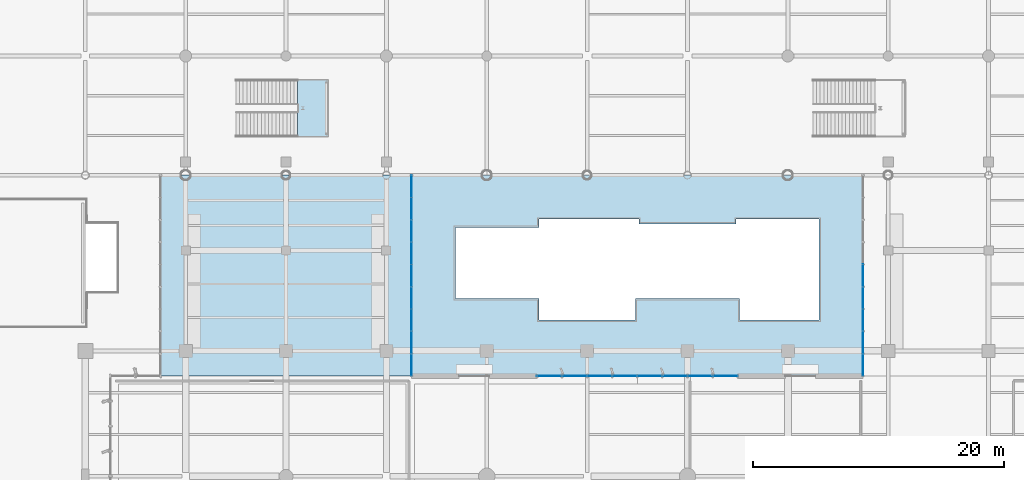
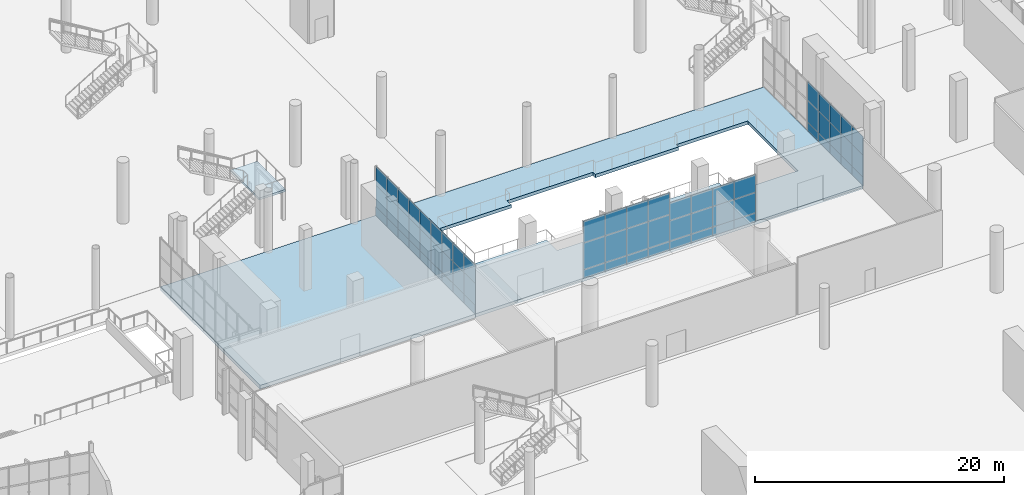
# One storey, part 116 of 163: 66 plates, 3 slabs, 5 elements without a shape of their own.
"""IFC4 building model written with IfcOpenShell, lengths in metres."""

from ifc_helpers import new_model, si_unit, direction, frame, origin, origin_2d, place, context, subcontext, project, spatial, polyline, rectangle, outline, extrude, material, layer, layer_set, type_object, element, aggregate, save


model = new_model("IFC4")

# Units and contexts
model_context = context("Model", 3, precision=1e-05, world=origin(), true_north=direction((0.0, 1.0)))
body_context = subcontext(model_context, "Body", "Model", "MODEL_VIEW")
ifc_project = project(units=[si_unit("LENGTHUNIT", "METRE"), si_unit("AREAUNIT", "SQUARE_METRE"), si_unit("VOLUMEUNIT", "CUBIC_METRE"), si_unit("PLANEANGLEUNIT", "RADIAN"), si_unit("MASSUNIT", "GRAM", prefix="KILO")], contexts=[model_context])

# Site, building, storey
site_placement = place(None, origin())
site = spatial("IfcSite", under=ifc_project, at=site_placement, CompositionType="ELEMENT")
building_placement = place(site_placement, origin())
building = spatial("IfcBuilding", under=site, at=building_placement, Name="Khorjan Park Terminus", CompositionType="ELEMENT")
storey_placement = place(building_placement, origin())
storey = spatial("IfcBuildingStorey", under=building, at=storey_placement, Name="L00", CompositionType="ELEMENT", Elevation=0.0)

# Curtain wall, plates
ifc_material_1 = material(Name="Anodized Bronze Aluminium", Category="aluminium")
ifc_layer_1 = layer(ifc_material_1, 0.22)
ifc_layer_set_1 = layer_set([ifc_layer_1], Name="Anodized Bronze Aluminium")
curtain_wall_type_1 = type_object("IfcCurtainWallType", Name="CW-BRG-D", PredefinedType="NOTDEFINED", material=ifc_layer_set_1)
curtain_wall_1_placement = place(storey_placement, origin())
curtain_wall_1 = element("IfcCurtainWall", 1, at=curtain_wall_1_placement, inside=storey, type_object=curtain_wall_type_1, Name="Unitized curtain wall CW-D (CW-NKW-E-L00)", PredefinedType="NOTDEFINED")
ifc_material_2 = material(Name="Low-E Solar Control Double Glazing", Category="glass")
ifc_layer_2 = layer(ifc_material_2, 0.032)
ifc_layer_set_2 = layer_set([ifc_layer_2], Name="Low-E Solar Control Double Glazing")
plate_type_1 = type_object("IfcPlateType", Name="GL-VIS-32", PredefinedType="CURTAIN_PANEL", material=ifc_layer_set_2)
plate_1_placement = place(storey_placement, frame((74.0, 86.8889, 0.8499), z_axis=(0.0, 0.0, 1.0), x_axis=(0.0, 1.0, 0.0)))
plate_1 = element("IfcPlate", 2, at=plate_1_placement, type_object=plate_type_1, Name="Curtain-wall panel VP-32 (CW-NKW-E-L00-0-2)", PredefinedType="CURTAIN_PANEL", context=body_context, shape_type="SweptSolid", body=[
    extrude(rectangle(XDim=1.7778, YDim=0.032, at=origin_2d()), origin(), (0.0, 0.0, 1.0), 2.1415),
])
plate_2_placement = place(storey_placement, frame((74.0, 86.8889, 2.9914), z_axis=(0.0, 0.0, 1.0), x_axis=(0.0, 1.0, 0.0)))
plate_2 = element("IfcPlate", 3, at=plate_2_placement, type_object=plate_type_1, Name="Curtain-wall panel VP-32 (CW-NKW-E-L00-0-3)", PredefinedType="CURTAIN_PANEL", context=body_context, shape_type="SweptSolid", body=[
    extrude(rectangle(XDim=1.7778, YDim=0.032, at=origin_2d()), origin(), (0.0, 0.0, 1.0), 1.8435),
])
plate_3_placement = place(storey_placement, frame((74.0, 88.6667, 0.8499), z_axis=(0.0, 0.0, 1.0), x_axis=(0.0, 1.0, 0.0)))
plate_3 = element("IfcPlate", 4, at=plate_3_placement, type_object=plate_type_1, Name="Curtain-wall panel VP-32 (CW-NKW-E-L00-1-2)", PredefinedType="CURTAIN_PANEL", context=body_context, shape_type="SweptSolid", body=[
    extrude(rectangle(XDim=1.7778, YDim=0.032, at=origin_2d()), origin(), (0.0, 0.0, 1.0), 2.1415),
])
plate_4_placement = place(storey_placement, frame((74.0, 88.6667, 2.9914), z_axis=(0.0, 0.0, 1.0), x_axis=(0.0, 1.0, 0.0)))
plate_4 = element("IfcPlate", 5, at=plate_4_placement, type_object=plate_type_1, Name="Curtain-wall panel VP-32 (CW-NKW-E-L00-1-3)", PredefinedType="CURTAIN_PANEL", context=body_context, shape_type="SweptSolid", body=[
    extrude(rectangle(XDim=1.7778, YDim=0.032, at=origin_2d()), origin(), (0.0, 0.0, 1.0), 1.8435),
])
plate_5_placement = place(storey_placement, frame((74.0, 90.4444, 0.8499), z_axis=(0.0, 0.0, 1.0), x_axis=(0.0, 1.0, 0.0)))
plate_5 = element("IfcPlate", 6, at=plate_5_placement, type_object=plate_type_1, Name="Curtain-wall panel VP-32 (CW-NKW-E-L00-2-2)", PredefinedType="CURTAIN_PANEL", context=body_context, shape_type="SweptSolid", body=[
    extrude(rectangle(XDim=1.7778, YDim=0.032, at=origin_2d()), origin(), (0.0, 0.0, 1.0), 2.1415),
])
plate_6_placement = place(storey_placement, frame((74.0, 90.4444, 2.9914), z_axis=(0.0, 0.0, 1.0), x_axis=(0.0, 1.0, 0.0)))
plate_6 = element("IfcPlate", 7, at=plate_6_placement, type_object=plate_type_1, Name="Curtain-wall panel VP-32 (CW-NKW-E-L00-2-3)", PredefinedType="CURTAIN_PANEL", context=body_context, shape_type="SweptSolid", body=[
    extrude(rectangle(XDim=1.7778, YDim=0.032, at=origin_2d()), origin(), (0.0, 0.0, 1.0), 1.8435),
])
plate_7_placement = place(storey_placement, frame((74.0, 92.2222, 0.8499), z_axis=(0.0, 0.0, 1.0), x_axis=(0.0, 1.0, 0.0)))
plate_7 = element("IfcPlate", 8, at=plate_7_placement, type_object=plate_type_1, Name="Curtain-wall panel VP-32 (CW-NKW-E-L00-3-2)", PredefinedType="CURTAIN_PANEL", context=body_context, shape_type="SweptSolid", body=[
    extrude(rectangle(XDim=1.7778, YDim=0.032, at=origin_2d()), origin(), (0.0, 0.0, 1.0), 2.1415),
])
plate_8_placement = place(storey_placement, frame((74.0, 92.2222, 2.9914), z_axis=(0.0, 0.0, 1.0), x_axis=(0.0, 1.0, 0.0)))
plate_8 = element("IfcPlate", 9, at=plate_8_placement, type_object=plate_type_1, Name="Curtain-wall panel VP-32 (CW-NKW-E-L00-3-3)", PredefinedType="CURTAIN_PANEL", context=body_context, shape_type="SweptSolid", body=[
    extrude(rectangle(XDim=1.7778, YDim=0.032, at=origin_2d()), origin(), (0.0, 0.0, 1.0), 1.8435),
])
plate_9_placement = place(storey_placement, frame((74.0, 94.0, 0.8499), z_axis=(0.0, 0.0, 1.0), x_axis=(0.0, 1.0, 0.0)))
plate_9 = element("IfcPlate", 10, at=plate_9_placement, type_object=plate_type_1, Name="Curtain-wall panel VP-32 (CW-NKW-E-L00-4-2)", PredefinedType="CURTAIN_PANEL", context=body_context, shape_type="SweptSolid", body=[
    extrude(rectangle(XDim=1.7778, YDim=0.032, at=origin_2d()), origin(), (0.0, 0.0, 1.0), 2.1415),
])
plate_10_placement = place(storey_placement, frame((74.0, 94.0, 2.9914), z_axis=(0.0, 0.0, 1.0), x_axis=(0.0, 1.0, 0.0)))
plate_10 = element("IfcPlate", 11, at=plate_10_placement, type_object=plate_type_1, Name="Curtain-wall panel VP-32 (CW-NKW-E-L00-4-3)", PredefinedType="CURTAIN_PANEL", context=body_context, shape_type="SweptSolid", body=[
    extrude(rectangle(XDim=1.7778, YDim=0.032, at=origin_2d()), origin(), (0.0, 0.0, 1.0), 1.8435),
])
plate_11_placement = place(storey_placement, frame((74.0, 95.7778, 0.8499), z_axis=(0.0, 0.0, 1.0), x_axis=(0.0, 1.0, 0.0)))
plate_11 = element("IfcPlate", 12, at=plate_11_placement, type_object=plate_type_1, Name="Curtain-wall panel VP-32 (CW-NKW-E-L00-5-2)", PredefinedType="CURTAIN_PANEL", context=body_context, shape_type="SweptSolid", body=[
    extrude(rectangle(XDim=1.7778, YDim=0.032, at=origin_2d()), origin(), (0.0, 0.0, 1.0), 2.1415),
])
plate_12_placement = place(storey_placement, frame((74.0, 95.7778, 2.9914), z_axis=(0.0, 0.0, 1.0), x_axis=(0.0, 1.0, 0.0)))
plate_12 = element("IfcPlate", 13, at=plate_12_placement, type_object=plate_type_1, Name="Curtain-wall panel VP-32 (CW-NKW-E-L00-5-3)", PredefinedType="CURTAIN_PANEL", context=body_context, shape_type="SweptSolid", body=[
    extrude(rectangle(XDim=1.7778, YDim=0.032, at=origin_2d()), origin(), (0.0, 0.0, 1.0), 1.8435),
])
plate_13_placement = place(storey_placement, frame((74.0, 97.5556, 0.8499), z_axis=(0.0, 0.0, 1.0), x_axis=(0.0, 1.0, 0.0)))
plate_13 = element("IfcPlate", 14, at=plate_13_placement, type_object=plate_type_1, Name="Curtain-wall panel VP-32 (CW-NKW-E-L00-6-2)", PredefinedType="CURTAIN_PANEL", context=body_context, shape_type="SweptSolid", body=[
    extrude(rectangle(XDim=1.7778, YDim=0.032, at=origin_2d()), origin(), (0.0, 0.0, 1.0), 2.1415),
])
plate_14_placement = place(storey_placement, frame((74.0, 97.5556, 2.9914), z_axis=(0.0, 0.0, 1.0), x_axis=(0.0, 1.0, 0.0)))
plate_14 = element("IfcPlate", 15, at=plate_14_placement, type_object=plate_type_1, Name="Curtain-wall panel VP-32 (CW-NKW-E-L00-6-3)", PredefinedType="CURTAIN_PANEL", context=body_context, shape_type="SweptSolid", body=[
    extrude(rectangle(XDim=1.7778, YDim=0.032, at=origin_2d()), origin(), (0.0, 0.0, 1.0), 1.8435),
])
plate_15_placement = place(storey_placement, frame((74.0, 99.3333, 0.8499), z_axis=(0.0, 0.0, 1.0), x_axis=(0.0, 1.0, 0.0)))
plate_15 = element("IfcPlate", 16, at=plate_15_placement, type_object=plate_type_1, Name="Curtain-wall panel VP-32 (CW-NKW-E-L00-7-2)", PredefinedType="CURTAIN_PANEL", context=body_context, shape_type="SweptSolid", body=[
    extrude(rectangle(XDim=1.7778, YDim=0.032, at=origin_2d()), origin(), (0.0, 0.0, 1.0), 2.1415),
])
plate_16_placement = place(storey_placement, frame((74.0, 99.3333, 2.9914), z_axis=(0.0, 0.0, 1.0), x_axis=(0.0, 1.0, 0.0)))
plate_16 = element("IfcPlate", 17, at=plate_16_placement, type_object=plate_type_1, Name="Curtain-wall panel VP-32 (CW-NKW-E-L00-7-3)", PredefinedType="CURTAIN_PANEL", context=body_context, shape_type="SweptSolid", body=[
    extrude(rectangle(XDim=1.7778, YDim=0.032, at=origin_2d()), origin(), (0.0, 0.0, 1.0), 1.8435),
])
plate_17_placement = place(storey_placement, frame((74.0, 101.1111, 0.8499), z_axis=(0.0, 0.0, 1.0), x_axis=(0.0, 1.0, 0.0)))
plate_17 = element("IfcPlate", 18, at=plate_17_placement, type_object=plate_type_1, Name="Curtain-wall panel VP-32 (CW-NKW-E-L00-8-2)", PredefinedType="CURTAIN_PANEL", context=body_context, shape_type="SweptSolid", body=[
    extrude(rectangle(XDim=1.7778, YDim=0.032, at=origin_2d()), origin(), (0.0, 0.0, 1.0), 2.1415),
])
plate_18_placement = place(storey_placement, frame((74.0, 101.1111, 2.9914), z_axis=(0.0, 0.0, 1.0), x_axis=(0.0, 1.0, 0.0)))
plate_18 = element("IfcPlate", 19, at=plate_18_placement, type_object=plate_type_1, Name="Curtain-wall panel VP-32 (CW-NKW-E-L00-8-3)", PredefinedType="CURTAIN_PANEL", context=body_context, shape_type="SweptSolid", body=[
    extrude(rectangle(XDim=1.7778, YDim=0.032, at=origin_2d()), origin(), (0.0, 0.0, 1.0), 1.8435),
])

curtain_wall_2_placement = place(storey_placement, origin())
curtain_wall_2 = element("IfcCurtainWall", 20, at=curtain_wall_2_placement, inside=storey, type_object=curtain_wall_type_1, Name="Unitized curtain wall CW-D (CW-NKE-W-L00)", PredefinedType="NOTDEFINED")
plate_19_placement = place(storey_placement, frame((110.0, 94.0, 0.8499), z_axis=(0.0, 0.0, 1.0), x_axis=(0.0, -1.0, 0.0)))
plate_19 = element("IfcPlate", 21, at=plate_19_placement, type_object=plate_type_1, Name="Curtain-wall panel VP-32 (CW-NKE-W-L00-4-2)", PredefinedType="CURTAIN_PANEL", context=body_context, shape_type="SweptSolid", body=[
    extrude(rectangle(XDim=1.7778, YDim=0.032, at=origin_2d()), origin(), (0.0, 0.0, 1.0), 2.1415),
])
plate_20_placement = place(storey_placement, frame((110.0, 94.0, 2.9914), z_axis=(0.0, 0.0, 1.0), x_axis=(0.0, -1.0, 0.0)))
plate_20 = element("IfcPlate", 22, at=plate_20_placement, type_object=plate_type_1, Name="Curtain-wall panel VP-32 (CW-NKE-W-L00-4-3)", PredefinedType="CURTAIN_PANEL", context=body_context, shape_type="SweptSolid", body=[
    extrude(rectangle(XDim=1.7778, YDim=0.032, at=origin_2d()), origin(), (0.0, 0.0, 1.0), 1.8435),
])
plate_21_placement = place(storey_placement, frame((110.0, 92.2222, 0.8499), z_axis=(0.0, 0.0, 1.0), x_axis=(0.0, -1.0, 0.0)))
plate_21 = element("IfcPlate", 23, at=plate_21_placement, type_object=plate_type_1, Name="Curtain-wall panel VP-32 (CW-NKE-W-L00-5-2)", PredefinedType="CURTAIN_PANEL", context=body_context, shape_type="SweptSolid", body=[
    extrude(rectangle(XDim=1.7778, YDim=0.032, at=origin_2d()), origin(), (0.0, 0.0, 1.0), 2.1415),
])
plate_22_placement = place(storey_placement, frame((110.0, 92.2222, 2.9914), z_axis=(0.0, 0.0, 1.0), x_axis=(0.0, -1.0, 0.0)))
plate_22 = element("IfcPlate", 24, at=plate_22_placement, type_object=plate_type_1, Name="Curtain-wall panel VP-32 (CW-NKE-W-L00-5-3)", PredefinedType="CURTAIN_PANEL", context=body_context, shape_type="SweptSolid", body=[
    extrude(rectangle(XDim=1.7778, YDim=0.032, at=origin_2d()), origin(), (0.0, 0.0, 1.0), 1.8435),
])
plate_23_placement = place(storey_placement, frame((110.0, 90.4444, 0.8499), z_axis=(0.0, 0.0, 1.0), x_axis=(0.0, -1.0, 0.0)))
plate_23 = element("IfcPlate", 25, at=plate_23_placement, type_object=plate_type_1, Name="Curtain-wall panel VP-32 (CW-NKE-W-L00-6-2)", PredefinedType="CURTAIN_PANEL", context=body_context, shape_type="SweptSolid", body=[
    extrude(rectangle(XDim=1.7778, YDim=0.032, at=origin_2d()), origin(), (0.0, 0.0, 1.0), 2.1415),
])
plate_24_placement = place(storey_placement, frame((110.0, 90.4444, 2.9914), z_axis=(0.0, 0.0, 1.0), x_axis=(0.0, -1.0, 0.0)))
plate_24 = element("IfcPlate", 26, at=plate_24_placement, type_object=plate_type_1, Name="Curtain-wall panel VP-32 (CW-NKE-W-L00-6-3)", PredefinedType="CURTAIN_PANEL", context=body_context, shape_type="SweptSolid", body=[
    extrude(rectangle(XDim=1.7778, YDim=0.032, at=origin_2d()), origin(), (0.0, 0.0, 1.0), 1.8435),
])
plate_25_placement = place(storey_placement, frame((110.0, 88.6667, 0.8499), z_axis=(0.0, 0.0, 1.0), x_axis=(0.0, -1.0, 0.0)))
plate_25 = element("IfcPlate", 27, at=plate_25_placement, type_object=plate_type_1, Name="Curtain-wall panel VP-32 (CW-NKE-W-L00-7-2)", PredefinedType="CURTAIN_PANEL", context=body_context, shape_type="SweptSolid", body=[
    extrude(rectangle(XDim=1.7778, YDim=0.032, at=origin_2d()), origin(), (0.0, 0.0, 1.0), 2.1415),
])
plate_26_placement = place(storey_placement, frame((110.0, 88.6667, 2.9914), z_axis=(0.0, 0.0, 1.0), x_axis=(0.0, -1.0, 0.0)))
plate_26 = element("IfcPlate", 28, at=plate_26_placement, type_object=plate_type_1, Name="Curtain-wall panel VP-32 (CW-NKE-W-L00-7-3)", PredefinedType="CURTAIN_PANEL", context=body_context, shape_type="SweptSolid", body=[
    extrude(rectangle(XDim=1.7778, YDim=0.032, at=origin_2d()), origin(), (0.0, 0.0, 1.0), 1.8435),
])
plate_27_placement = place(storey_placement, frame((110.0, 86.8889, 0.8499), z_axis=(0.0, 0.0, 1.0), x_axis=(0.0, -1.0, 0.0)))
plate_27 = element("IfcPlate", 29, at=plate_27_placement, type_object=plate_type_1, Name="Curtain-wall panel VP-32 (CW-NKE-W-L00-8-2)", PredefinedType="CURTAIN_PANEL", context=body_context, shape_type="SweptSolid", body=[
    extrude(rectangle(XDim=1.7778, YDim=0.032, at=origin_2d()), origin(), (0.0, 0.0, 1.0), 2.1415),
])
plate_28_placement = place(storey_placement, frame((110.0, 86.8889, 2.9914), z_axis=(0.0, 0.0, 1.0), x_axis=(0.0, -1.0, 0.0)))
plate_28 = element("IfcPlate", 30, at=plate_28_placement, type_object=plate_type_1, Name="Curtain-wall panel VP-32 (CW-NKE-W-L00-8-3)", PredefinedType="CURTAIN_PANEL", context=body_context, shape_type="SweptSolid", body=[
    extrude(rectangle(XDim=1.7778, YDim=0.032, at=origin_2d()), origin(), (0.0, 0.0, 1.0), 1.8435),
])

ifc_layer_3 = layer(ifc_material_1, 0.22)
ifc_layer_set_3 = layer_set([ifc_layer_3], Name="Anodized Bronze Aluminium")
curtain_wall_type_2 = type_object("IfcCurtainWallType", Name="CW-CONC-A", PredefinedType="NOTDEFINED", material=ifc_layer_set_3)
curtain_wall_3_placement = place(storey_placement, origin())
curtain_wall_3 = element("IfcCurtainWall", 31, at=curtain_wall_3_placement, inside=storey, type_object=curtain_wall_type_2, Name="Unitized curtain wall CW-A (CW-V2-N-L00-04)", PredefinedType="NOTDEFINED")
ifc_material_3 = material(Name="Triple Low-E High-Selectivity Glazing", Category="glass")
ifc_layer_4 = layer(ifc_material_3, 0.04)
ifc_layer_set_4 = layer_set([ifc_layer_4], Name="Triple Low-E High-Selectivity Glazing")
plate_type_2 = type_object("IfcPlateType", Name="GL-VIS-40", PredefinedType="CURTAIN_PANEL", material=ifc_layer_set_4)
plate_29_placement = place(storey_placement, frame((91.0, 86.0, 0.85), z_axis=(0.0, 0.0, 1.0), x_axis=(-1.0, 0.0, 0.0)))
plate_29 = element("IfcPlate", 32, at=plate_29_placement, type_object=plate_type_2, Name="Curtain-wall panel VP-40 (CW-V2-N-L00-04-0-2)", PredefinedType="CURTAIN_PANEL", context=body_context, shape_type="SweptSolid", body=[
    extrude(rectangle(XDim=2.0, YDim=0.04, at=origin_2d()), origin(), (0.0, 0.0, 1.0), 2.6344),
])
plate_30_placement = place(storey_placement, frame((91.0, 86.0, 3.4844), z_axis=(0.0, 0.0, 1.0), x_axis=(-1.0, 0.0, 0.0)))
plate_30 = element("IfcPlate", 33, at=plate_30_placement, type_object=plate_type_2, Name="Curtain-wall panel VP-40 (CW-V2-N-L00-04-0-3)", PredefinedType="CURTAIN_PANEL", context=body_context, shape_type="SweptSolid", body=[
    extrude(rectangle(XDim=2.0, YDim=0.04, at=origin_2d()), origin(), (0.0, 0.0, 1.0), 2.1456),
])
plate_31_placement = place(storey_placement, frame((89.0, 86.0, 0.85), z_axis=(0.0, 0.0, 1.0), x_axis=(-1.0, 0.0, 0.0)))
plate_31 = element("IfcPlate", 34, at=plate_31_placement, type_object=plate_type_2, Name="Curtain-wall panel VP-40 (CW-V2-N-L00-04-1-2)", PredefinedType="CURTAIN_PANEL", context=body_context, shape_type="SweptSolid", body=[
    extrude(rectangle(XDim=2.0, YDim=0.04, at=origin_2d()), origin(), (0.0, 0.0, 1.0), 2.6344),
])
plate_32_placement = place(storey_placement, frame((89.0, 86.0, 3.4844), z_axis=(0.0, 0.0, 1.0), x_axis=(-1.0, 0.0, 0.0)))
plate_32 = element("IfcPlate", 35, at=plate_32_placement, type_object=plate_type_2, Name="Curtain-wall panel VP-40 (CW-V2-N-L00-04-1-3)", PredefinedType="CURTAIN_PANEL", context=body_context, shape_type="SweptSolid", body=[
    extrude(rectangle(XDim=2.0, YDim=0.04, at=origin_2d()), origin(), (0.0, 0.0, 1.0), 2.1456),
])
plate_33_placement = place(storey_placement, frame((87.0, 86.0, 0.85), z_axis=(0.0, 0.0, 1.0), x_axis=(-1.0, 0.0, 0.0)))
plate_33 = element("IfcPlate", 36, at=plate_33_placement, type_object=plate_type_2, Name="Curtain-wall panel VP-40 (CW-V2-N-L00-04-2-2)", PredefinedType="CURTAIN_PANEL", context=body_context, shape_type="SweptSolid", body=[
    extrude(rectangle(XDim=2.0, YDim=0.04, at=origin_2d()), origin(), (0.0, 0.0, 1.0), 2.6344),
])
plate_34_placement = place(storey_placement, frame((87.0, 86.0, 3.4844), z_axis=(0.0, 0.0, 1.0), x_axis=(-1.0, 0.0, 0.0)))
plate_34 = element("IfcPlate", 37, at=plate_34_placement, type_object=plate_type_2, Name="Curtain-wall panel VP-40 (CW-V2-N-L00-04-2-3)", PredefinedType="CURTAIN_PANEL", context=body_context, shape_type="SweptSolid", body=[
    extrude(rectangle(XDim=2.0, YDim=0.04, at=origin_2d()), origin(), (0.0, 0.0, 1.0), 2.1456),
])
plate_35_placement = place(storey_placement, frame((85.0, 86.0, 0.85), z_axis=(0.0, 0.0, 1.0), x_axis=(-1.0, 0.0, 0.0)))
plate_35 = element("IfcPlate", 38, at=plate_35_placement, type_object=plate_type_2, Name="Curtain-wall panel VP-40 (CW-V2-N-L00-04-3-2)", PredefinedType="CURTAIN_PANEL", context=body_context, shape_type="SweptSolid", body=[
    extrude(rectangle(XDim=2.0, YDim=0.04, at=origin_2d()), origin(), (0.0, 0.0, 1.0), 2.6344),
])
plate_36_placement = place(storey_placement, frame((85.0, 86.0, 3.4844), z_axis=(0.0, 0.0, 1.0), x_axis=(-1.0, 0.0, 0.0)))
plate_36 = element("IfcPlate", 39, at=plate_36_placement, type_object=plate_type_2, Name="Curtain-wall panel VP-40 (CW-V2-N-L00-04-3-3)", PredefinedType="CURTAIN_PANEL", context=body_context, shape_type="SweptSolid", body=[
    extrude(rectangle(XDim=2.0, YDim=0.04, at=origin_2d()), origin(), (0.0, 0.0, 1.0), 2.1456),
])

curtain_wall_4_placement = place(storey_placement, origin())
curtain_wall_4 = element("IfcCurtainWall", 40, at=curtain_wall_4_placement, inside=storey, type_object=curtain_wall_type_2, Name="Unitized curtain wall CW-A (CW-V2-N-L00-05)", PredefinedType="NOTDEFINED")
plate_37_placement = place(storey_placement, frame((99.0, 86.0, 0.85), z_axis=(0.0, 0.0, 1.0), x_axis=(-1.0, 0.0, 0.0)))
plate_37 = element("IfcPlate", 41, at=plate_37_placement, type_object=plate_type_2, Name="Curtain-wall panel VP-40 (CW-V2-N-L00-05-0-2)", PredefinedType="CURTAIN_PANEL", context=body_context, shape_type="SweptSolid", body=[
    extrude(rectangle(XDim=2.0, YDim=0.04, at=origin_2d()), origin(), (0.0, 0.0, 1.0), 2.0175),
])
plate_38_placement = place(storey_placement, frame((99.0, 86.0, 2.8674), z_axis=(0.0, 0.0, 1.0), x_axis=(-1.0, 0.0, 0.0)))
plate_38 = element("IfcPlate", 42, at=plate_38_placement, type_object=plate_type_2, Name="Curtain-wall panel VP-40 (CW-V2-N-L00-05-0-3)", PredefinedType="CURTAIN_PANEL", context=body_context, shape_type="SweptSolid", body=[
    extrude(rectangle(XDim=2.0, YDim=0.04, at=origin_2d()), origin(), (0.0, 0.0, 1.0), 1.7675),
])
plate_39_placement = place(storey_placement, frame((97.0, 86.0, 0.85), z_axis=(0.0, 0.0, 1.0), x_axis=(-1.0, 0.0, 0.0)))
plate_39 = element("IfcPlate", 43, at=plate_39_placement, type_object=plate_type_2, Name="Curtain-wall panel VP-40 (CW-V2-N-L00-05-1-2)", PredefinedType="CURTAIN_PANEL", context=body_context, shape_type="SweptSolid", body=[
    extrude(rectangle(XDim=2.0, YDim=0.04, at=origin_2d()), origin(), (0.0, 0.0, 1.0), 2.0175),
])
plate_40_placement = place(storey_placement, frame((97.0, 86.0, 2.8674), z_axis=(0.0, 0.0, 1.0), x_axis=(-1.0, 0.0, 0.0)))
plate_40 = element("IfcPlate", 44, at=plate_40_placement, type_object=plate_type_2, Name="Curtain-wall panel VP-40 (CW-V2-N-L00-05-1-3)", PredefinedType="CURTAIN_PANEL", context=body_context, shape_type="SweptSolid", body=[
    extrude(rectangle(XDim=2.0, YDim=0.04, at=origin_2d()), origin(), (0.0, 0.0, 1.0), 1.7675),
])
plate_41_placement = place(storey_placement, frame((95.0, 86.0, 0.85), z_axis=(0.0, 0.0, 1.0), x_axis=(-1.0, 0.0, 0.0)))
plate_41 = element("IfcPlate", 45, at=plate_41_placement, type_object=plate_type_2, Name="Curtain-wall panel VP-40 (CW-V2-N-L00-05-2-2)", PredefinedType="CURTAIN_PANEL", context=body_context, shape_type="SweptSolid", body=[
    extrude(rectangle(XDim=2.0, YDim=0.04, at=origin_2d()), origin(), (0.0, 0.0, 1.0), 2.0175),
])
plate_42_placement = place(storey_placement, frame((95.0, 86.0, 2.8674), z_axis=(0.0, 0.0, 1.0), x_axis=(-1.0, 0.0, 0.0)))
plate_42 = element("IfcPlate", 46, at=plate_42_placement, type_object=plate_type_2, Name="Curtain-wall panel VP-40 (CW-V2-N-L00-05-2-3)", PredefinedType="CURTAIN_PANEL", context=body_context, shape_type="SweptSolid", body=[
    extrude(rectangle(XDim=2.0, YDim=0.04, at=origin_2d()), origin(), (0.0, 0.0, 1.0), 1.7675),
])
plate_43_placement = place(storey_placement, frame((93.0, 86.0, 0.85), z_axis=(0.0, 0.0, 1.0), x_axis=(-1.0, 0.0, 0.0)))
plate_43 = element("IfcPlate", 47, at=plate_43_placement, type_object=plate_type_2, Name="Curtain-wall panel VP-40 (CW-V2-N-L00-05-3-2)", PredefinedType="CURTAIN_PANEL", context=body_context, shape_type="SweptSolid", body=[
    extrude(rectangle(XDim=2.0, YDim=0.04, at=origin_2d()), origin(), (0.0, 0.0, 1.0), 2.0175),
])
plate_44_placement = place(storey_placement, frame((93.0, 86.0, 2.8674), z_axis=(0.0, 0.0, 1.0), x_axis=(-1.0, 0.0, 0.0)))
plate_44 = element("IfcPlate", 48, at=plate_44_placement, type_object=plate_type_2, Name="Curtain-wall panel VP-40 (CW-V2-N-L00-05-3-3)", PredefinedType="CURTAIN_PANEL", context=body_context, shape_type="SweptSolid", body=[
    extrude(rectangle(XDim=2.0, YDim=0.04, at=origin_2d()), origin(), (0.0, 0.0, 1.0), 1.7675),
])

# Slab
ifc_material_4 = material(Name="Concrete C40/50", Category="concrete")
ifc_layer_5 = layer(ifc_material_4, 0.36)
ifc_layer_set_5 = layer_set([ifc_layer_5], Name="Concrete C40/50")
slab_type_1 = type_object("IfcSlabType", Name="SL-FLR-360", PredefinedType="FLOOR", material=ifc_layer_set_5)
slab_1_placement = place(storey_placement, frame((0.0, 0.0, -0.36)))
element("IfcSlab", 49, at=slab_1_placement, inside=storey, type_object=slab_type_1, Name="Structural floor slab FS-36 (L00-NK-W)", PredefinedType="FLOOR", context=body_context, shape_type="SweptSolid", body=[
    extrude(outline(polyline([(54.0, 102.0), (74.0, 102.0), (74.0, 86.0), (54.0, 86.0), (54.0, 102.0)])), origin(), (0.0, 0.0, 1.0), 0.36),
])

# Stair, slab
stair_type = type_object("IfcStairType", Name="STR-PUB-200", PredefinedType="HALF_TURN_STAIR", material=ifc_material_4)
stair_placement = place(storey_placement, origin())
stair = element("IfcStair", 50, at=stair_placement, inside=storey, type_object=stair_type, Name="Public passenger half-turn stair PS-01", PredefinedType="HALF_TURN_STAIR")
ifc_layer_6 = layer(ifc_material_4, 0.2)
ifc_layer_set_6 = layer_set([ifc_layer_6], Name="Concrete C40/50")
slab_type_2 = type_object("IfcSlabType", Name="SL-LND-200", PredefinedType="LANDING", material=ifc_layer_set_6)
slab_2_placement = place(storey_placement, frame((0.0, 0.0, 2.8)))
slab_2 = element("IfcSlab", 51, at=slab_2_placement, type_object=slab_type_2, Name="Stair PS-01 intermediate half-landing LS-20", PredefinedType="LANDING", context=body_context, shape_type="SweptSolid", body=[
    extrude(outline(polyline([(64.915, 105.06), (67.38, 105.06), (67.38, 109.64), (64.915, 109.64), (64.915, 105.06)])), origin(), (0.0, 0.0, 1.0), 0.2),
])
aggregate(stair, [slab_2])

# Slab
ifc_layer_7 = layer(ifc_material_4, 0.32)
ifc_layer_set_7 = layer_set([ifc_layer_7], Name="Concrete C40/50")
slab_type_3 = type_object("IfcSlabType", Name="SL-TER-320", PredefinedType="ROOF", material=ifc_layer_set_7)
slab_3_placement = place(storey_placement, frame((0.0, 0.0, -0.32)))
element("IfcSlab", 52, at=slab_3_placement, inside=storey, type_object=slab_type_3, Name="External paved civic forecourt and court plinth slab TS-32 (L00-APR-02)", PredefinedType="ROOF", context=body_context, shape_type="SweptSolid", body=[
    extrude(outline(polyline([(109.98, 101.98), (109.98, 86.02), (74.02, 86.02), (74.02, 101.98), (109.98, 101.98)]), holes=[polyline([(84.16, 92.16), (84.16, 90.45), (91.84, 90.45), (91.84, 92.16), (100.16, 92.16), (100.16, 90.45), (106.5, 90.45), (106.5, 98.5), (99.871, 98.5), (99.871, 98.129), (92.129, 98.129), (92.129, 98.5), (84.16, 98.5), (84.16, 97.84), (77.5, 97.84), (77.5, 92.16), (84.16, 92.16)])]), origin(), (0.0, 0.0, 1.0), 0.32),
])

# Plate
ifc_material_5 = material(Name="Insulated Anodized Bronze Spandrel Panel")
ifc_layer_8 = layer(ifc_material_5, 0.045)
ifc_layer_set_8 = layer_set([ifc_layer_8], Name="Insulated Anodized Bronze Spandrel Panel")
plate_type_3 = type_object("IfcPlateType", Name="SP-AL-45", PredefinedType="CURTAIN_PANEL", material=ifc_layer_set_8)
plate_45_placement = place(storey_placement, frame((91.0, 86.0, -0.01), z_axis=(0.0, 0.0, 1.0), x_axis=(-1.0, 0.0, 0.0)))
plate_45 = element("IfcPlate", 53, at=plate_45_placement, type_object=plate_type_3, Name="Curtain-wall panel SP-A45 (CW-V2-N-L00-04-0-1)", PredefinedType="CURTAIN_PANEL", context=body_context, shape_type="SweptSolid", body=[
    extrude(rectangle(XDim=2.0, YDim=0.045, at=origin_2d()), origin(), (0.0, 0.0, 1.0), 0.86),
])

plate_46_placement = place(storey_placement, frame((89.0, 86.0, -0.01), z_axis=(0.0, 0.0, 1.0), x_axis=(-1.0, 0.0, 0.0)))
plate_46 = element("IfcPlate", 54, at=plate_46_placement, type_object=plate_type_3, Name="Curtain-wall panel SP-A45 (CW-V2-N-L00-04-1-1)", PredefinedType="CURTAIN_PANEL", context=body_context, shape_type="SweptSolid", body=[
    extrude(rectangle(XDim=2.0, YDim=0.045, at=origin_2d()), origin(), (0.0, 0.0, 1.0), 0.86),
])

plate_47_placement = place(storey_placement, frame((87.0, 86.0, -0.01), z_axis=(0.0, 0.0, 1.0), x_axis=(-1.0, 0.0, 0.0)))
plate_47 = element("IfcPlate", 55, at=plate_47_placement, type_object=plate_type_3, Name="Curtain-wall panel SP-A45 (CW-V2-N-L00-04-2-1)", PredefinedType="CURTAIN_PANEL", context=body_context, shape_type="SweptSolid", body=[
    extrude(rectangle(XDim=2.0, YDim=0.045, at=origin_2d()), origin(), (0.0, 0.0, 1.0), 0.86),
])

plate_48_placement = place(storey_placement, frame((85.0, 86.0, -0.01), z_axis=(0.0, 0.0, 1.0), x_axis=(-1.0, 0.0, 0.0)))
plate_48 = element("IfcPlate", 56, at=plate_48_placement, type_object=plate_type_3, Name="Curtain-wall panel SP-A45 (CW-V2-N-L00-04-3-1)", PredefinedType="CURTAIN_PANEL", context=body_context, shape_type="SweptSolid", body=[
    extrude(rectangle(XDim=2.0, YDim=0.045, at=origin_2d()), origin(), (0.0, 0.0, 1.0), 0.86),
])

aggregate(curtain_wall_3, [plate_45, plate_29, plate_30, plate_46, plate_31, plate_32, plate_47, plate_33, plate_34, plate_48, plate_35, plate_36])

plate_49_placement = place(storey_placement, frame((99.0, 86.0, -0.01), z_axis=(0.0, 0.0, 1.0), x_axis=(-1.0, 0.0, 0.0)))
plate_49 = element("IfcPlate", 57, at=plate_49_placement, type_object=plate_type_3, Name="Curtain-wall panel SP-A45 (CW-V2-N-L00-05-0-1)", PredefinedType="CURTAIN_PANEL", context=body_context, shape_type="SweptSolid", body=[
    extrude(rectangle(XDim=2.0, YDim=0.045, at=origin_2d()), origin(), (0.0, 0.0, 1.0), 0.86),
])

plate_50_placement = place(storey_placement, frame((97.0, 86.0, -0.01), z_axis=(0.0, 0.0, 1.0), x_axis=(-1.0, 0.0, 0.0)))
plate_50 = element("IfcPlate", 58, at=plate_50_placement, type_object=plate_type_3, Name="Curtain-wall panel SP-A45 (CW-V2-N-L00-05-1-1)", PredefinedType="CURTAIN_PANEL", context=body_context, shape_type="SweptSolid", body=[
    extrude(rectangle(XDim=2.0, YDim=0.045, at=origin_2d()), origin(), (0.0, 0.0, 1.0), 0.86),
])

plate_51_placement = place(storey_placement, frame((95.0, 86.0, -0.01), z_axis=(0.0, 0.0, 1.0), x_axis=(-1.0, 0.0, 0.0)))
plate_51 = element("IfcPlate", 59, at=plate_51_placement, type_object=plate_type_3, Name="Curtain-wall panel SP-A45 (CW-V2-N-L00-05-2-1)", PredefinedType="CURTAIN_PANEL", context=body_context, shape_type="SweptSolid", body=[
    extrude(rectangle(XDim=2.0, YDim=0.045, at=origin_2d()), origin(), (0.0, 0.0, 1.0), 0.86),
])

plate_52_placement = place(storey_placement, frame((93.0, 86.0, -0.01), z_axis=(0.0, 0.0, 1.0), x_axis=(-1.0, 0.0, 0.0)))
plate_52 = element("IfcPlate", 60, at=plate_52_placement, type_object=plate_type_3, Name="Curtain-wall panel SP-A45 (CW-V2-N-L00-05-3-1)", PredefinedType="CURTAIN_PANEL", context=body_context, shape_type="SweptSolid", body=[
    extrude(rectangle(XDim=2.0, YDim=0.045, at=origin_2d()), origin(), (0.0, 0.0, 1.0), 0.86),
])

aggregate(curtain_wall_4, [plate_49, plate_37, plate_38, plate_50, plate_39, plate_40, plate_51, plate_41, plate_42, plate_52, plate_43, plate_44])

plate_53_placement = place(storey_placement, frame((74.0, 86.8889, -0.01), z_axis=(0.0, 0.0, 1.0), x_axis=(0.0, 1.0, 0.0)))
plate_53 = element("IfcPlate", 61, at=plate_53_placement, type_object=plate_type_3, Name="Curtain-wall panel SP-A45 (CW-NKW-E-L00-0-1)", PredefinedType="CURTAIN_PANEL", context=body_context, shape_type="SweptSolid", body=[
    extrude(rectangle(XDim=1.7778, YDim=0.045, at=origin_2d()), origin(), (0.0, 0.0, 1.0), 0.86),
])

plate_54_placement = place(storey_placement, frame((74.0, 88.6667, -0.01), z_axis=(0.0, 0.0, 1.0), x_axis=(0.0, 1.0, 0.0)))
plate_54 = element("IfcPlate", 62, at=plate_54_placement, type_object=plate_type_3, Name="Curtain-wall panel SP-A45 (CW-NKW-E-L00-1-1)", PredefinedType="CURTAIN_PANEL", context=body_context, shape_type="SweptSolid", body=[
    extrude(rectangle(XDim=1.7778, YDim=0.045, at=origin_2d()), origin(), (0.0, 0.0, 1.0), 0.86),
])

plate_55_placement = place(storey_placement, frame((74.0, 90.4444, -0.01), z_axis=(0.0, 0.0, 1.0), x_axis=(0.0, 1.0, 0.0)))
plate_55 = element("IfcPlate", 63, at=plate_55_placement, type_object=plate_type_3, Name="Curtain-wall panel SP-A45 (CW-NKW-E-L00-2-1)", PredefinedType="CURTAIN_PANEL", context=body_context, shape_type="SweptSolid", body=[
    extrude(rectangle(XDim=1.7778, YDim=0.045, at=origin_2d()), origin(), (0.0, 0.0, 1.0), 0.86),
])

plate_56_placement = place(storey_placement, frame((74.0, 92.2222, -0.01), z_axis=(0.0, 0.0, 1.0), x_axis=(0.0, 1.0, 0.0)))
plate_56 = element("IfcPlate", 64, at=plate_56_placement, type_object=plate_type_3, Name="Curtain-wall panel SP-A45 (CW-NKW-E-L00-3-1)", PredefinedType="CURTAIN_PANEL", context=body_context, shape_type="SweptSolid", body=[
    extrude(rectangle(XDim=1.7778, YDim=0.045, at=origin_2d()), origin(), (0.0, 0.0, 1.0), 0.86),
])

plate_57_placement = place(storey_placement, frame((74.0, 94.0, -0.01), z_axis=(0.0, 0.0, 1.0), x_axis=(0.0, 1.0, 0.0)))
plate_57 = element("IfcPlate", 65, at=plate_57_placement, type_object=plate_type_3, Name="Curtain-wall panel SP-A45 (CW-NKW-E-L00-4-1)", PredefinedType="CURTAIN_PANEL", context=body_context, shape_type="SweptSolid", body=[
    extrude(rectangle(XDim=1.7778, YDim=0.045, at=origin_2d()), origin(), (0.0, 0.0, 1.0), 0.86),
])

plate_58_placement = place(storey_placement, frame((74.0, 95.7778, -0.01), z_axis=(0.0, 0.0, 1.0), x_axis=(0.0, 1.0, 0.0)))
plate_58 = element("IfcPlate", 66, at=plate_58_placement, type_object=plate_type_3, Name="Curtain-wall panel SP-A45 (CW-NKW-E-L00-5-1)", PredefinedType="CURTAIN_PANEL", context=body_context, shape_type="SweptSolid", body=[
    extrude(rectangle(XDim=1.7778, YDim=0.045, at=origin_2d()), origin(), (0.0, 0.0, 1.0), 0.86),
])

plate_59_placement = place(storey_placement, frame((74.0, 97.5556, -0.01), z_axis=(0.0, 0.0, 1.0), x_axis=(0.0, 1.0, 0.0)))
plate_59 = element("IfcPlate", 67, at=plate_59_placement, type_object=plate_type_3, Name="Curtain-wall panel SP-A45 (CW-NKW-E-L00-6-1)", PredefinedType="CURTAIN_PANEL", context=body_context, shape_type="SweptSolid", body=[
    extrude(rectangle(XDim=1.7778, YDim=0.045, at=origin_2d()), origin(), (0.0, 0.0, 1.0), 0.86),
])

plate_60_placement = place(storey_placement, frame((74.0, 99.3333, -0.01), z_axis=(0.0, 0.0, 1.0), x_axis=(0.0, 1.0, 0.0)))
plate_60 = element("IfcPlate", 68, at=plate_60_placement, type_object=plate_type_3, Name="Curtain-wall panel SP-A45 (CW-NKW-E-L00-7-1)", PredefinedType="CURTAIN_PANEL", context=body_context, shape_type="SweptSolid", body=[
    extrude(rectangle(XDim=1.7778, YDim=0.045, at=origin_2d()), origin(), (0.0, 0.0, 1.0), 0.86),
])

plate_61_placement = place(storey_placement, frame((74.0, 101.1111, -0.01), z_axis=(0.0, 0.0, 1.0), x_axis=(0.0, 1.0, 0.0)))
plate_61 = element("IfcPlate", 69, at=plate_61_placement, type_object=plate_type_3, Name="Curtain-wall panel SP-A45 (CW-NKW-E-L00-8-1)", PredefinedType="CURTAIN_PANEL", context=body_context, shape_type="SweptSolid", body=[
    extrude(rectangle(XDim=1.7778, YDim=0.045, at=origin_2d()), origin(), (0.0, 0.0, 1.0), 0.86),
])

aggregate(curtain_wall_1, [plate_53, plate_1, plate_2, plate_54, plate_3, plate_4, plate_55, plate_5, plate_6, plate_56, plate_7, plate_8, plate_57, plate_9, plate_10, plate_58, plate_11, plate_12, plate_59, plate_13, plate_14, plate_60, plate_15, plate_16, plate_61, plate_17, plate_18])

plate_62_placement = place(storey_placement, frame((110.0, 94.0, -0.01), z_axis=(0.0, 0.0, 1.0), x_axis=(0.0, -1.0, 0.0)))
plate_62 = element("IfcPlate", 70, at=plate_62_placement, type_object=plate_type_3, Name="Curtain-wall panel SP-A45 (CW-NKE-W-L00-4-1)", PredefinedType="CURTAIN_PANEL", context=body_context, shape_type="SweptSolid", body=[
    extrude(rectangle(XDim=1.7778, YDim=0.045, at=origin_2d()), origin(), (0.0, 0.0, 1.0), 0.86),
])

plate_63_placement = place(storey_placement, frame((110.0, 92.2222, -0.01), z_axis=(0.0, 0.0, 1.0), x_axis=(0.0, -1.0, 0.0)))
plate_63 = element("IfcPlate", 71, at=plate_63_placement, type_object=plate_type_3, Name="Curtain-wall panel SP-A45 (CW-NKE-W-L00-5-1)", PredefinedType="CURTAIN_PANEL", context=body_context, shape_type="SweptSolid", body=[
    extrude(rectangle(XDim=1.7778, YDim=0.045, at=origin_2d()), origin(), (0.0, 0.0, 1.0), 0.86),
])

plate_64_placement = place(storey_placement, frame((110.0, 90.4444, -0.01), z_axis=(0.0, 0.0, 1.0), x_axis=(0.0, -1.0, 0.0)))
plate_64 = element("IfcPlate", 72, at=plate_64_placement, type_object=plate_type_3, Name="Curtain-wall panel SP-A45 (CW-NKE-W-L00-6-1)", PredefinedType="CURTAIN_PANEL", context=body_context, shape_type="SweptSolid", body=[
    extrude(rectangle(XDim=1.7778, YDim=0.045, at=origin_2d()), origin(), (0.0, 0.0, 1.0), 0.86),
])

plate_65_placement = place(storey_placement, frame((110.0, 88.6667, -0.01), z_axis=(0.0, 0.0, 1.0), x_axis=(0.0, -1.0, 0.0)))
plate_65 = element("IfcPlate", 73, at=plate_65_placement, type_object=plate_type_3, Name="Curtain-wall panel SP-A45 (CW-NKE-W-L00-7-1)", PredefinedType="CURTAIN_PANEL", context=body_context, shape_type="SweptSolid", body=[
    extrude(rectangle(XDim=1.7778, YDim=0.045, at=origin_2d()), origin(), (0.0, 0.0, 1.0), 0.86),
])

plate_66_placement = place(storey_placement, frame((110.0, 86.8889, -0.01), z_axis=(0.0, 0.0, 1.0), x_axis=(0.0, -1.0, 0.0)))
plate_66 = element("IfcPlate", 74, at=plate_66_placement, type_object=plate_type_3, Name="Curtain-wall panel SP-A45 (CW-NKE-W-L00-8-1)", PredefinedType="CURTAIN_PANEL", context=body_context, shape_type="SweptSolid", body=[
    extrude(rectangle(XDim=1.7778, YDim=0.045, at=origin_2d()), origin(), (0.0, 0.0, 1.0), 0.86),
])

aggregate(curtain_wall_2, [plate_62, plate_19, plate_20, plate_63, plate_21, plate_22, plate_64, plate_23, plate_24, plate_65, plate_25, plate_26, plate_66, plate_27, plate_28])

save(model, "model.ifc")
